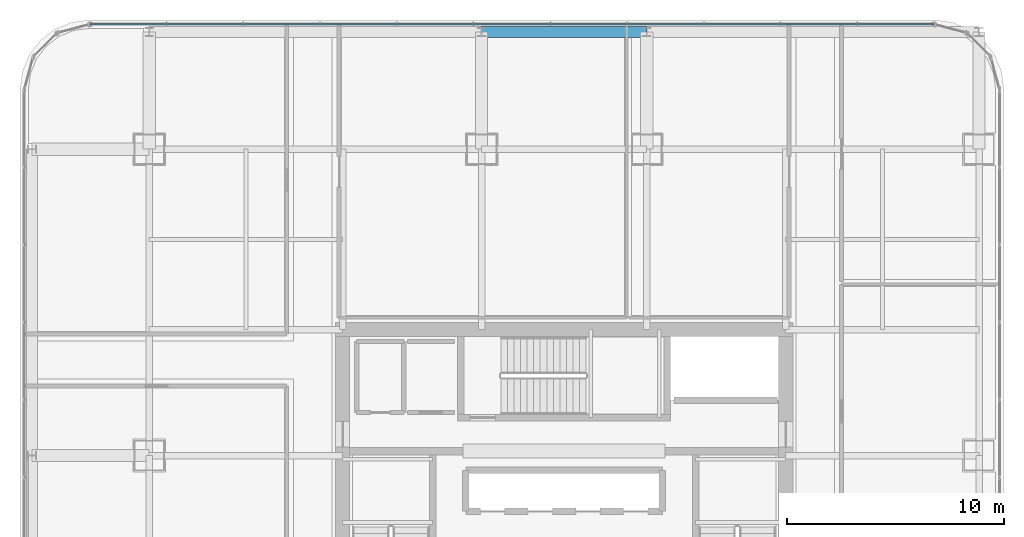
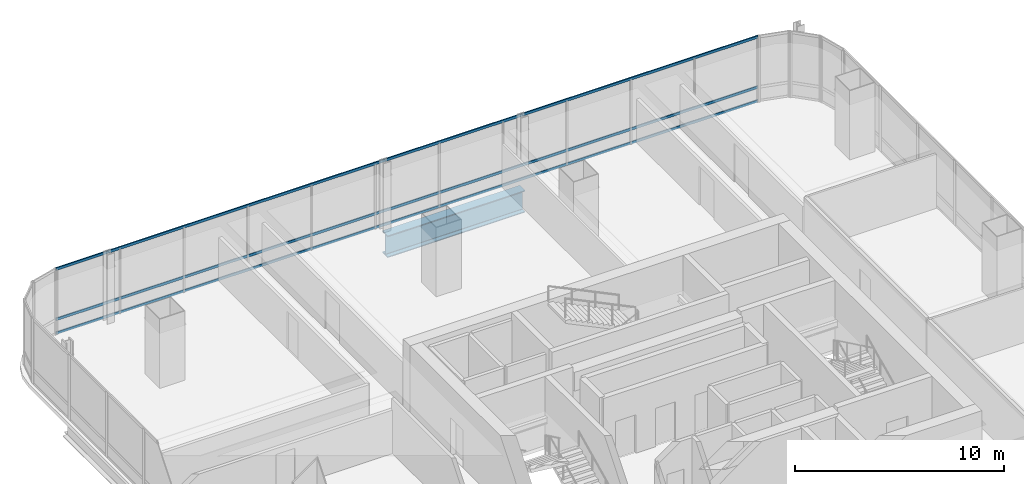
# One storey, part 24 of 38: 3 members, 1 beam, 1 element without a shape of its own.
"""IFC4 building model written with IfcOpenShell, lengths in metres."""

import ifcopenshell
import ifcopenshell.guid

model = None  # the IFC model being written
_history = None  # IfcOwnerHistory: only IFC2X3 demands one
_inside = {}  # id of a spatial element -> (the spatial element, [elements in it])
_under = {}  # id of a project, library or spatial element -> (it, [spatial elements below it])
_declared = {}  # id of a project -> (the project, [libraries it declares])
_typed = {}  # id of a type object -> (the type object, [elements of that type])
_made_of = {}  # id of a material, layer set ... -> (it, [elements and type objects made of it])


def new_model(schema):
    """Start an empty IFC model of exactly this schema.

    Asked for "IFC4X3", IfcOpenShell would pick the latest addendum, in which some entities
    have other attributes; the version numbers below select the first issue.
    IFC2X3 requires an IfcOwnerHistory on every rooted entity: one is made here for all.
    """
    global model, _history
    if schema == "IFC4X3":
        model = ifcopenshell.file(schema_version=(4, 3, 0, 0))
    else:
        model = ifcopenshell.file(schema=schema)
    _inside.clear()
    _under.clear()
    _declared.clear()
    _typed.clear()
    _made_of.clear()
    _history = None
    if model.schema == "IFC2X3":
        org = make("IfcOrganization", Name="unknown")
        user = make(
            "IfcPersonAndOrganization",
            ThePerson=make("IfcPerson", FamilyName="unknown"),
            TheOrganization=org,
        )
        app = make(
            "IfcApplication",
            ApplicationDeveloper=org,
            Version="unknown",
            ApplicationFullName="unknown",
            ApplicationIdentifier="unknown",
        )
        _history = make(
            "IfcOwnerHistory",
            OwningUser=user,
            OwningApplication=app,
            ChangeAction="ADDED",
            CreationDate=0,
        )
    return model


def make(cls, **values):
    """One entity of the class cls with the attributes given. An attribute that is None is left unset."""
    return model.create_entity(
        cls, **{name: value for name, value in values.items() if value is not None}
    )


def rooted(cls, **values):
    """An entity with a GlobalId (a new one), such as an element, a storey or a relation."""
    return make(cls, GlobalId=ifcopenshell.guid.new(), OwnerHistory=_history, **values)


def si_unit(unit_type, name, prefix=None):
    """IfcSIUnit, for example si_unit("LENGTHUNIT", "METRE", prefix="MILLI")."""
    return make("IfcSIUnit", UnitType=unit_type, Prefix=prefix, Name=name)


def assignment(units):
    """IfcUnitAssignment: the units of a project."""
    return None if units is None else make("IfcUnitAssignment", Units=units)


def point(xyz):
    """IfcCartesianPoint."""
    return None if xyz is None else make("IfcCartesianPoint", Coordinates=xyz)


def direction(xyz):
    """IfcDirection."""
    return None if xyz is None else make("IfcDirection", DirectionRatios=xyz)


def frame(location, z_axis=None, x_axis=None):
    """IfcAxis2Placement3D, a coordinate frame: its origin and axes. An axis left out is left unset."""
    return make(
        "IfcAxis2Placement3D",
        Location=point(location),
        Axis=direction(z_axis),
        RefDirection=direction(x_axis),
    )


def frame_2d(location, x_axis=None):
    """IfcAxis2Placement2D, a coordinate frame in the plane: its origin and x axis."""
    return make(
        "IfcAxis2Placement2D", Location=point(location), RefDirection=direction(x_axis)
    )


def origin():
    """The frame at (0, 0, 0) with its axes left unset."""
    return frame((0.0, 0.0, 0.0))


def origin_2d():
    """The frame at (0, 0) in the plane with its x axis left unset."""
    return frame_2d((0.0, 0.0))


def place(relative_to, where):
    """IfcLocalPlacement: puts the frame where relative to a parent placement (None: the world)."""
    return make(
        "IfcLocalPlacement", PlacementRelTo=relative_to, RelativePlacement=where
    )


def context(
    kind, dimensions, precision=None, world=None, true_north=None, identifier=None
):
    """IfcGeometricRepresentationContext, for example the 3D "Model" context."""
    return make(
        "IfcGeometricRepresentationContext",
        ContextIdentifier=identifier,
        ContextType=kind,
        CoordinateSpaceDimension=dimensions,
        Precision=precision,
        WorldCoordinateSystem=world,
        TrueNorth=true_north,
    )


def subcontext(parent, identifier, kind, view, scale=None):
    """IfcGeometricRepresentationSubContext, for example "Body" below "Model"."""
    return make(
        "IfcGeometricRepresentationSubContext",
        ContextIdentifier=identifier,
        ContextType=kind,
        ParentContext=parent,
        TargetScale=scale,
        TargetView=view,
    )


def project(units=None, contexts=None):
    """IfcProject with its units and contexts."""
    return rooted(
        "IfcProject",
        Name="project",
        RepresentationContexts=contexts,
        UnitsInContext=assignment(units),
    )


def spatial(cls, under=None, at=None, **own):
    """A site, building, storey or space (cls), placed at a placement, below another one or the project."""
    s = rooted(cls, ObjectPlacement=at, **own)
    if under is not None:
        _under.setdefault(under.id(), (under, []))[1].append(s)
    return s


def profile(cls, at=None, kind="AREA", **sizes):
    """A parametric profile (cls). Its sizes go by their IFC names, for example OverallWidth=200.0."""
    return make(cls, ProfileType=kind, Position=at, **sizes)


def hollow_rectangle(**sizes):
    """IfcRectangleHollowProfileDef."""
    return profile("IfcRectangleHollowProfileDef", **sizes)


def i_section(**sizes):
    """IfcIShapeProfileDef."""
    return profile("IfcIShapeProfileDef", **sizes)


def extrude(swept, where, along, depth):
    """IfcExtrudedAreaSolid: the profile swept, set in the frame where, extruded along a direction by depth."""
    return make(
        "IfcExtrudedAreaSolid",
        SweptArea=swept,
        Position=where,
        ExtrudedDirection=direction(along),
        Depth=depth,
    )


def shape(context_of_items, identifier, shape_type, items):
    """IfcShapeRepresentation: the items that make up one representation, for example the "Body"."""
    return make(
        "IfcShapeRepresentation",
        ContextOfItems=context_of_items,
        RepresentationIdentifier=identifier,
        RepresentationType=shape_type,
        Items=items,
    )


def material(Name=None, Category=None):
    """IfcMaterial."""
    return make("IfcMaterial", Name=Name, Category=Category)


def material_profile(
    of_material, cross_section, Name=None, Category=None, Priority=None
):
    """IfcMaterialProfile: a cross section and its material."""
    return make(
        "IfcMaterialProfile",
        Name=Name,
        Material=of_material,
        Profile=cross_section,
        Priority=Priority,
        Category=Category,
    )


def profile_set(profiles, Name=None, composite=None):
    """IfcMaterialProfileSet."""
    return make(
        "IfcMaterialProfileSet",
        Name=Name,
        MaterialProfiles=profiles,
        CompositeProfile=composite,
    )


def made_of(thing, what):
    """Note that an element or type object is made of a material, layer set ...; save() writes the relation."""
    if what is not None:
        _made_of.setdefault(what.id(), (what, []))[1].append(thing)
    return thing


def type_object(cls, material=None, **own):
    """A type object (cls), such as IfcWallType, which elements share."""
    return made_of(rooted(cls, **own), material)


def element(
    cls,
    number,
    at=None,
    inside=None,
    cuts=None,
    type_object=None,
    material=None,
    context=None,
    identifier="Body",
    shape_type=None,
    held_by="IfcProductDefinitionShape",
    body=None,
    shapes=None,
    **own,
):
    """One element of the class cls, such as IfcWall. Its Tag is "e" and its number.

    at: its placement. inside: the storey or other place that contains it. cuts: it is an
    opening in that element (IfcRelVoidsElement). A single representation is given by context,
    identifier, shape_type and body (its items); several are given by shapes. held_by: the class
    of the entity that holds the representations. save() writes the other relations.
    """
    e = rooted(cls, Tag="e%d" % number, ObjectPlacement=at, **own)
    if body is not None:
        shapes = [shape(context, identifier, shape_type, body)]
    if shapes is not None:
        e.Representation = make(held_by, Representations=shapes)
    if inside is not None:
        _inside.setdefault(inside.id(), (inside, []))[1].append(e)
    if cuts is not None:
        rooted(
            "IfcRelVoidsElement", RelatingBuildingElement=cuts, RelatedOpeningElement=e
        )
    if type_object is not None:
        _typed.setdefault(type_object.id(), (type_object, []))[1].append(e)
    return made_of(e, material)


def aggregate(whole, parts):
    """IfcRelAggregates: a whole, such as a stair, and the parts it consists of."""
    return rooted("IfcRelAggregates", RelatingObject=whole, RelatedObjects=parts)


def save(model, path):
    """Write the relations noted so far, then the file.

    IfcRelAggregates (storeys below a building ...), IfcRelContainedInSpatialStructure (elements
    in a storey), IfcRelDefinesByType, IfcRelAssociatesMaterial and IfcRelDeclares: one each for
    every whole, place, type object, material and project.
    """
    for whole, parts in _under.values():
        aggregate(whole, parts)
    for where, things in _inside.values():
        rooted(
            "IfcRelContainedInSpatialStructure",
            RelatedElements=things,
            RelatingStructure=where,
        )
    for kind, things in _typed.values():
        rooted("IfcRelDefinesByType", RelatedObjects=things, RelatingType=kind)
    for what, things in _made_of.values():
        rooted("IfcRelAssociatesMaterial", RelatedObjects=things, RelatingMaterial=what)
    for by, libraries in _declared.values():
        rooted("IfcRelDeclares", RelatingContext=by, RelatedDefinitions=libraries)
    model.write(path)


model = new_model("IFC4")

# Units and contexts
model_context = context("Model", 3, precision=1e-05, world=origin(), true_north=direction((0.0, 1.0)))
body_context = subcontext(model_context, "Body", "Model", "MODEL_VIEW")
ifc_project = project(units=[si_unit("LENGTHUNIT", "METRE"), si_unit("AREAUNIT", "SQUARE_METRE"), si_unit("VOLUMEUNIT", "CUBIC_METRE"), si_unit("PLANEANGLEUNIT", "RADIAN"), si_unit("MASSUNIT", "GRAM", prefix="KILO")], contexts=[model_context])

# Site, building, storey
site_placement = place(None, origin())
site = spatial("IfcSite", under=ifc_project, at=site_placement, CompositionType="ELEMENT")
building_placement = place(site_placement, origin())
building = spatial("IfcBuilding", under=site, at=building_placement, Name="Punatoya Terracotta Tower", CompositionType="ELEMENT")
storey_placement = place(building_placement, frame((0.0, 0.0, 160.050048828125)))
storey = spatial("IfcBuildingStorey", under=building, at=storey_placement, Name="L37", CompositionType="ELEMENT", Elevation=160.050048828125)

# Beam
ifc_material_1 = material(Name="Steel S460", Category="steel")
ifc_material_profile_1 = material_profile(ifc_material_1, i_section(OverallWidth=0.52001953125, OverallDepth=1.280029296875, WebThickness=0.031982421875, FlangeThickness=0.050048828125, FilletRadius=0.01806640625, at=origin_2d()))
ifc_profile_set_1 = profile_set([ifc_material_profile_1], Name="Steel S460")
beam_type = type_object("IfcBeamType", Name="BM-TG-NCK", PredefinedType="BEAM", material=ifc_profile_set_1)
beam_placement = place(storey_placement, frame((-3.800048828125, 22.89990234375, -0.860107421875), z_axis=(1.0, 0.0, 0.0), x_axis=(0.0, 1.0, 0.0)))
element("IfcBeam", 1, at=beam_placement, inside=storey, type_object=beam_type, Name="BM-L37-PER-N2", PredefinedType="BEAM", context=body_context, shape_type="SweptSolid", body=[
    extrude(i_section(OverallWidth=0.52001953125, OverallDepth=1.280029296875, WebThickness=0.031982421875, FlangeThickness=0.050048828125, FilletRadius=0.01806640625, at=origin_2d()), origin(), (0.0, 0.0, 1.0), 7.60009765625),
])

# Curtain wall, members
ifc_material_2 = material(Name="Aluminium 6063-T6 + Double Low-E Glass", Category="aluminium")
curtain_wall_type = type_object("IfcCurtainWallType", Name="CW-M2", PredefinedType="NOTDEFINED", material=ifc_material_2)
curtain_wall_placement = place(storey_placement, origin())
curtain_wall = element("IfcCurtainWall", 2, at=curtain_wall_placement, inside=storey, type_object=curtain_wall_type, Name="L37 Curtain Wall CW-L37-N09-1", PredefinedType="NOTDEFINED")
ifc_material_3 = material(Name="Aluminium 6063-T6", Category="aluminium")
ifc_material_profile_2 = material_profile(ifc_material_3, hollow_rectangle(XDim=0.068115234375, YDim=0.14990234375, WallThickness=0.00390625, at=origin_2d()))
ifc_profile_set_2 = profile_set([ifc_material_profile_2], Name="Aluminium 6063-T6")
member_type = type_object("IfcMemberType", Name="CW-TRN-TYP", PredefinedType="USERDEFINED", material=ifc_profile_set_2)
member_1_placement = place(storey_placement, frame((17.036865234375, 23.25, 0.0400390625), z_axis=(-1.0, 0.0, 0.0), x_axis=(0.0, -1.0, 0.0)))
member_1 = element("IfcMember", 3, at=member_1_placement, type_object=member_type, Name="CW-L37-N09-1 Transom 1", ObjectType="TRANSOM", PredefinedType="USERDEFINED", context=body_context, shape_type="SweptSolid", body=[
    extrude(hollow_rectangle(XDim=0.068115234375, YDim=0.14990234375, WallThickness=0.00390625, at=origin_2d()), origin(), (0.0, 0.0, 1.0), 38.873779296875),
])
member_2_placement = place(storey_placement, frame((17.036865234375, 23.25, 0.849853515625), z_axis=(-1.0, 0.0, 0.0), x_axis=(0.0, -1.0, 0.0)))
member_2 = element("IfcMember", 4, at=member_2_placement, type_object=member_type, Name="CW-L37-N09-1 Transom 2", ObjectType="TRANSOM", PredefinedType="USERDEFINED", context=body_context, shape_type="SweptSolid", body=[
    extrude(hollow_rectangle(XDim=0.068115234375, YDim=0.14990234375, WallThickness=0.00390625, at=origin_2d()), origin(), (0.0, 0.0, 1.0), 38.873779296875),
])
member_3_placement = place(storey_placement, frame((17.036865234375, 23.25, 3.7900390625), z_axis=(-1.0, 0.0, 0.0), x_axis=(0.0, -1.0, 0.0)))
member_3 = element("IfcMember", 5, at=member_3_placement, type_object=member_type, Name="CW-L37-N09-1 Transom 3", ObjectType="TRANSOM", PredefinedType="USERDEFINED", context=body_context, shape_type="SweptSolid", body=[
    extrude(hollow_rectangle(XDim=0.068115234375, YDim=0.14990234375, WallThickness=0.00390625, at=origin_2d()), origin(), (0.0, 0.0, 1.0), 38.873779296875),
])
aggregate(curtain_wall, [member_1, member_2, member_3])

save(model, "model.ifc")
